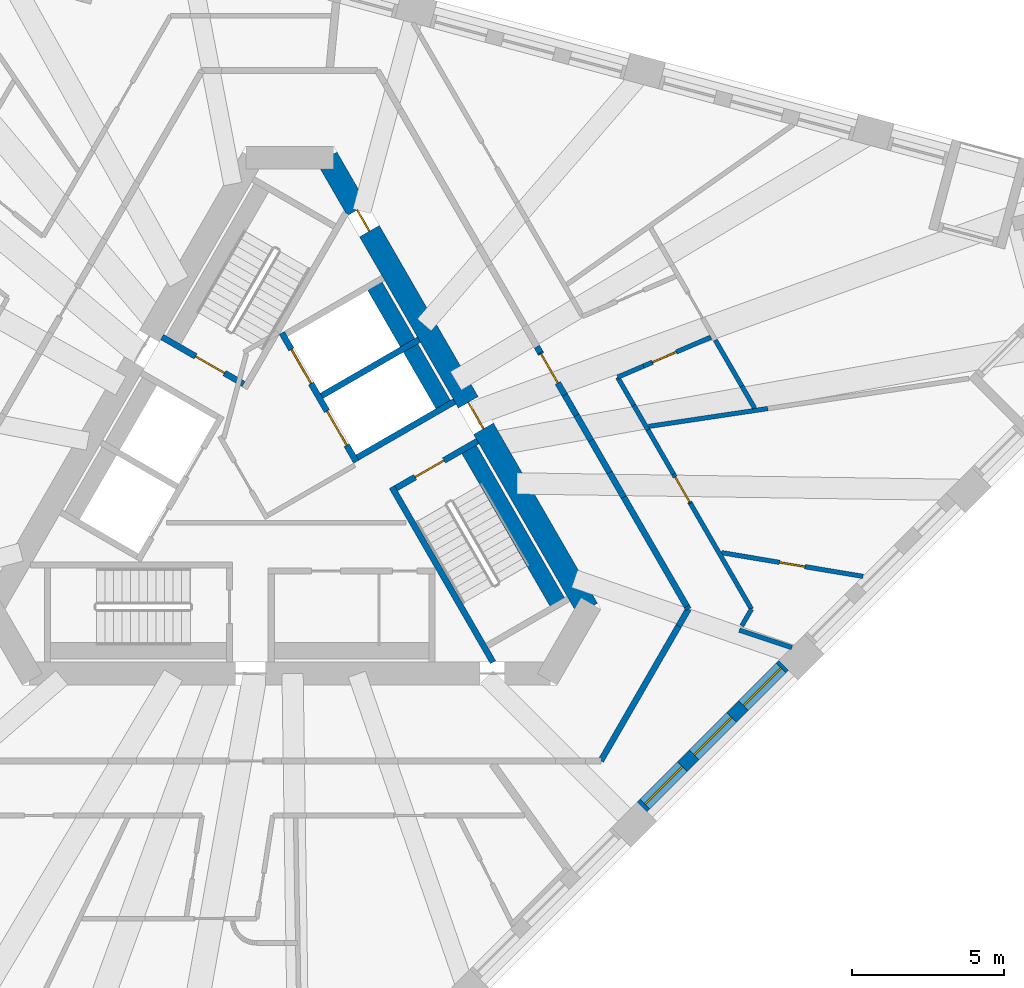
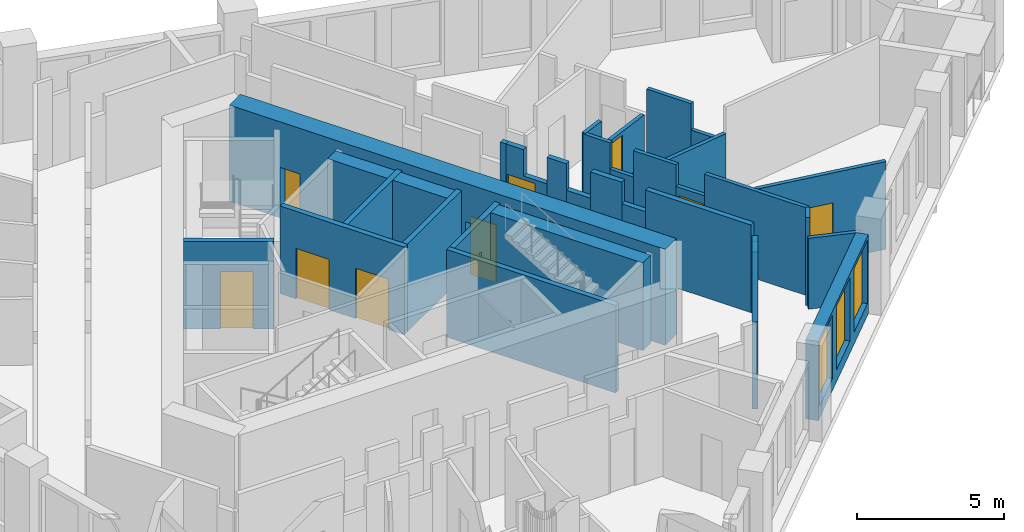
# One storey, part 5 of 13: 33 walls, 10 doors, 3 windows, 13 openings.
"""IFC4 building model written with IfcOpenShell, lengths in metres."""

from ifc_helpers import new_model, si_unit, direction, frame, frame_2d, origin, place, context, subcontext, project, spatial, polyline, rectangle, outline, extrude, material, layer, layer_set, type_object, element, fill, save


model = new_model("IFC4")

# Units and contexts
model_context = context("Model", 3, precision=1e-05, world=origin(), true_north=direction((0.0, 1.0)))
body_context = subcontext(model_context, "Body", "Model", "MODEL_VIEW")
ifc_project = project(units=[si_unit("LENGTHUNIT", "METRE"), si_unit("AREAUNIT", "SQUARE_METRE"), si_unit("VOLUMEUNIT", "CUBIC_METRE"), si_unit("PLANEANGLEUNIT", "RADIAN"), si_unit("MASSUNIT", "GRAM", prefix="KILO")], contexts=[model_context])

# Site, building, storey
site_placement = place(None, origin())
site = spatial("IfcSite", under=ifc_project, at=site_placement, CompositionType="ELEMENT")
building_placement = place(site_placement, origin())
building = spatial("IfcBuilding", under=site, at=building_placement, Name="Tramontana Tower", CompositionType="ELEMENT")
storey_placement = place(building_placement, frame((0.0, 0.0, 220.0)))
storey = spatial("IfcBuildingStorey", under=building, at=storey_placement, Name="L51", CompositionType="ELEMENT", Elevation=220.0)

# Wall, openings, doors
ifc_material_1 = material(Name="Concrete 70 MPa", Category="concrete")
ifc_layer_1 = layer(ifc_material_1, 0.75)
ifc_layer_set_1 = layer_set([ifc_layer_1], Name="Core wall 750 70 MPa")
wall_type_1 = type_object("IfcWallType", Name="Core wall 750 70 MPa", PredefinedType="SHEAR", material=ifc_layer_set_1)
wall_1_placement = place(storey_placement, frame((9.81494140625, -4.25, 0.0), z_axis=(0.0, 0.0, 1.0), x_axis=(-0.500002161919, 0.866024155596, 0.0)))
wall_1 = element("IfcWall", 1, at=wall_1_placement, inside=storey, type_object=wall_type_1, Name="Core wall C5 L51", PredefinedType="SHEAR", context=body_context, shape_type="SweptSolid", body=[
    extrude(rectangle(XDim=17.17626953125, YDim=0.75, at=frame_2d((8.588134765625, 0.0))), origin(), (0.0, 0.0, 1.0), 4.0),
])
opening_1_placement = place(wall_1_placement, frame((6.863037109375, 0.0, 0.0)))
opening_1 = element("IfcOpeningElement", 2, at=opening_1_placement, cuts=wall_1, Name="Opening RG3", PredefinedType="OPENING", context=body_context, shape_type="SweptSolid", body=[
    extrude(rectangle(XDim=1.0, YDim=2.39990234375, at=frame_2d((0.5, 1.199951171875))), frame((0.0, 0.385009765625, 0.0), z_axis=(0.0, -1.0, 0.0), x_axis=(1.0, 0.0, 0.0)), (0.0, 0.0, 1.0), 0.77001953125),
])
opening_2_placement = place(wall_1_placement, frame((14.382080078125, 0.0, 0.0)))
opening_2 = element("IfcOpeningElement", 3, at=opening_2_placement, cuts=wall_1, Name="Opening PD3", PredefinedType="OPENING", context=body_context, shape_type="SweptSolid", body=[
    extrude(rectangle(XDim=0.800048828125, YDim=2.10009765625, at=frame_2d((0.39990234375, 1.050048828125))), frame((0.0, 0.385009765625, 0.0), z_axis=(0.0, -1.0, 0.0), x_axis=(1.0, 0.0, 0.0)), (0.0, 0.0, 1.0), 0.77001953125),
])
ifc_material_2 = material(Name="Painted steel", Category="steel")
door_type_1 = type_object("IfcDoorType", Name="CUPBOARD DOOR 800", OperationType="SINGLE_SWING_LEFT", PredefinedType="DOOR", material=ifc_material_2)
door_1_placement = place(opening_2_placement, origin())
door_1 = element("IfcDoor", 4, at=door_1_placement, inside=storey, type_object=door_type_1, Name="Door PD3", OperationType="SINGLE_SWING_RIGHT", OverallHeight=2.10009765625, OverallWidth=0.800048828125, PredefinedType="DOOR", context=body_context, shape_type="SweptSolid", body=[
    extrude(rectangle(XDim=0.800048828125, YDim=2.10009765625, at=frame_2d((0.39990234375, 1.050048828125))), frame((0.0, 0.02490234375, 0.0), z_axis=(0.0, -1.0, 0.0), x_axis=(1.0, 0.0, 0.0)), (0.0, 0.0, 1.0), 0.050048828125),
])
fill(opening_2, door_1)
ifc_material_3 = material(Name="Painted steel", Category="steel")
door_type_2 = type_object("IfcDoorType", Name="RING DOOR 1000", OperationType="SINGLE_SWING_LEFT", PredefinedType="DOOR", material=ifc_material_3)
door_2_placement = place(opening_1_placement, origin())
door_2 = element("IfcDoor", 5, at=door_2_placement, inside=storey, type_object=door_type_2, Name="Door RG3", OperationType="SINGLE_SWING_RIGHT", OverallHeight=2.39990234375, OverallWidth=1.0, PredefinedType="DOOR", context=body_context, shape_type="SweptSolid", body=[
    extrude(rectangle(XDim=1.0, YDim=2.39990234375, at=frame_2d((0.5, 1.199951171875))), frame((0.0, 0.02490234375, 0.0), z_axis=(0.0, -1.0, 0.0), x_axis=(1.0, 0.0, 0.0)), (0.0, 0.0, 1.0), 0.050048828125),
])
fill(opening_1, door_2)

# Wall
ifc_material_4 = material(Name="Blockwork", Category="masonry")
ifc_layer_2 = layer(ifc_material_4, 0.199951171875)
ifc_layer_set_2 = layer_set([ifc_layer_2], Name="ENTRY WALL 200")
wall_type_2 = type_object("IfcWallType", Name="ENTRY WALL 200", PredefinedType="SOLIDWALL", material=ifc_layer_set_2)
wall_2_placement = place(storey_placement, frame((8.143310546875, 4.3955078125, 0.0), z_axis=(0.0, 0.0, 1.0), x_axis=(0.499230902886, -0.866468987099, 0.0)))
element("IfcWall", 6, at=wall_2_placement, inside=storey, type_object=wall_type_2, Name="Wall v51-ew0-6", PredefinedType="SOLIDWALL", context=body_context, shape_type="SweptSolid", body=[
    extrude(rectangle(XDim=0.229248046875, YDim=0.199951171875, at=frame_2d((0.11474609375, 0.0))), origin(), (0.0, 0.0, 1.0), 3.64990234375),
])

# Wall, opening, door
wall_3_placement = place(storey_placement, frame((8.2578125, 4.19677734375, 0.0), z_axis=(0.0, 0.0, 1.0), x_axis=(0.500138504756, -0.865945423257, 0.0)))
wall_3 = element("IfcWall", 7, at=wall_3_placement, inside=storey, type_object=wall_type_2, Name="Wall v51-ew0-7", PredefinedType="SOLIDWALL", context=body_context, shape_type="SweptSolid", body=[
    extrude(outline(polyline([(0.0, 0.0), (1.6083984375, 0.0), (1.608642578125, 2.550048828125), (0.6943359375, 2.550048828125), (0.6943359375, 3.64990234375), (0.0, 3.64990234375), (0.0, 0.0)])), frame((0.0, 0.10009765625, 0.0), z_axis=(0.0, -1.0, 0.0), x_axis=(1.0, 0.0, 0.0)), (0.0, 0.0, 1.0), 0.199951171875),
])
opening_3_placement = place(wall_3_placement, frame((0.050048828125, 0.0, 0.0)))
opening_3 = element("IfcOpeningElement", 8, at=opening_3_placement, cuts=wall_3, Name="Opening B5B-21", PredefinedType="OPENING", context=body_context, shape_type="SweptSolid", body=[
    extrude(rectangle(XDim=1.10009765625, YDim=2.39990234375, at=frame_2d((0.550048828125, 1.199951171875))), frame((0.0, 0.10986328125, 0.0), z_axis=(0.0, -1.0, 0.0), x_axis=(1.0, 0.0, 0.0)), (0.0, 0.0, 1.0), 0.219970703125),
])
ifc_material_5 = material(Name="Painted timber", Category="wood")
door_type_3 = type_object("IfcDoorType", Name="DOOR ENTRY 1100", OperationType="SINGLE_SWING_LEFT", PredefinedType="DOOR", material=ifc_material_5)
door_3_placement = place(opening_3_placement, origin())
door_3 = element("IfcDoor", 9, at=door_3_placement, inside=storey, type_object=door_type_3, Name="Door B5B-21", OperationType="SINGLE_SWING_LEFT", OverallHeight=2.39990234375, OverallWidth=1.10009765625, PredefinedType="DOOR", context=body_context, shape_type="SweptSolid", body=[
    extrude(rectangle(XDim=1.10009765625, YDim=2.39990234375, at=frame_2d((0.550048828125, 1.199951171875))), frame((0.0, 0.02490234375, 0.0), z_axis=(0.0, -1.0, 0.0), x_axis=(1.0, 0.0, 0.0)), (0.0, 0.0, 1.0), 0.050048828125),
])
fill(opening_3, door_3)

# Walls
wall_4_placement = place(storey_placement, frame((9.062255859375, 2.803955078125, 0.0), z_axis=(0.0, 0.0, 1.0), x_axis=(0.499997253739, -0.866026989333, 0.0)))
element("IfcWall", 10, at=wall_4_placement, inside=storey, type_object=wall_type_2, Name="Wall v51-ew0-8", PredefinedType="SOLIDWALL", context=body_context, shape_type="SweptSolid", body=[
    extrude(rectangle(XDim=0.76904296875, YDim=0.199951171875, at=frame_2d((0.384521484375, 0.0))), origin(), (0.0, 0.0, 1.0), 3.64990234375),
])
wall_5_placement = place(storey_placement, frame((9.44677734375, 2.137939453125, 0.0), z_axis=(0.0, 0.0, 1.0), x_axis=(0.499869636591, -0.866100656052, 0.0)))
element("IfcWall", 11, at=wall_5_placement, inside=storey, type_object=wall_type_2, Name="Wall v51-ew0-9", PredefinedType="SOLIDWALL", context=body_context, shape_type="SweptSolid", body=[
    extrude(rectangle(XDim=0.957275390625, YDim=0.199951171875, at=frame_2d((0.478515625, 0.0))), origin(), (0.0, 0.0, 1.0), 2.550048828125),
])
wall_6_placement = place(storey_placement, frame((9.92529296875, 1.308837890625, 0.0), z_axis=(0.0, 0.0, 1.0), x_axis=(0.500055461028, -0.865993380977, 0.0)))
element("IfcWall", 12, at=wall_6_placement, inside=storey, type_object=wall_type_2, Name="Wall v51-ew0-10", PredefinedType="SOLIDWALL", context=body_context, shape_type="SweptSolid", body=[
    extrude(rectangle(XDim=1.226806640625, YDim=0.199951171875, at=frame_2d((0.61328125, 0.0))), origin(), (0.0, 0.0, 1.0), 3.64990234375),
])
wall_7_placement = place(storey_placement, frame((10.538818359375, 0.246337890625, 0.0), z_axis=(0.0, 0.0, 1.0), x_axis=(0.499971966783, -0.866041588165, 0.0)))
element("IfcWall", 13, at=wall_7_placement, inside=storey, type_object=wall_type_2, Name="Wall v51-ew0-11", PredefinedType="SOLIDWALL", context=body_context, shape_type="SweptSolid", body=[
    extrude(rectangle(XDim=0.931640625, YDim=0.199951171875, at=frame_2d((0.4658203125, 0.0))), origin(), (0.0, 0.0, 1.0), 2.75),
])
wall_8_placement = place(storey_placement, frame((11.004638671875, -0.560546875, 0.0), z_axis=(0.0, 0.0, 1.0), x_axis=(0.499993700073, -0.866029041019, 0.0)))
element("IfcWall", 14, at=wall_8_placement, inside=storey, type_object=wall_type_2, Name="Wall v51-ew0-12", PredefinedType="SOLIDWALL", context=body_context, shape_type="SweptSolid", body=[
    extrude(rectangle(XDim=4.1552734375, YDim=0.199951171875, at=frame_2d((2.07763671875, 0.0))), origin(), (0.0, 0.0, 1.0), 3.64990234375),
])
wall_9_placement = place(storey_placement, frame((13.082275390625, -4.1591796875, 0.0), z_axis=(0.0, 0.0, 1.0), x_axis=(0.500393920955, -0.865797853931, 0.0)))
element("IfcWall", 15, at=wall_9_placement, inside=storey, type_object=wall_type_2, Name="Wall v51-ew0-13", PredefinedType="SOLIDWALL", context=body_context, shape_type="SweptSolid", body=[
    extrude(rectangle(XDim=0.10498046875, YDim=0.199951171875, at=frame_2d((0.052490234375, 0.0))), origin(), (0.0, 0.0, 1.0), 2.949951171875),
])
wall_10_placement = place(storey_placement, frame((13.134765625, -4.25, 0.0), z_axis=(0.0, 0.0, 1.0), x_axis=(-0.500018234033, -0.866014876105, 0.0)))
element("IfcWall", 16, at=wall_10_placement, inside=storey, type_object=wall_type_2, Name="Wall v51-ew1-0", PredefinedType="SOLIDWALL", context=body_context, shape_type="SweptSolid", body=[
    extrude(rectangle(XDim=0.64306640625, YDim=0.199951171875, at=frame_2d((0.321533203125, 0.0))), origin(), (0.0, 0.0, 1.0), 2.949951171875),
])
wall_11_placement = place(storey_placement, frame((12.813232421875, -4.806884765625, 0.0), z_axis=(0.0, 0.0, 1.0), x_axis=(-0.499992949462, -0.866029474376, 0.0)))
element("IfcWall", 17, at=wall_11_placement, inside=storey, type_object=wall_type_2, Name="Wall v51-ew1-1", PredefinedType="SOLIDWALL", context=body_context, shape_type="SweptSolid", body=[
    extrude(rectangle(XDim=5.13037109375, YDim=0.199951171875, at=frame_2d((2.565185546875, 0.0))), origin(), (0.0, 0.0, 1.0), 3.64990234375),
])

# Wall, openings, windows
ifc_material_6 = material(Name="Precast concrete 60 MPa", Category="concrete")
ifc_layer_3 = layer(ifc_material_6, 0.449951171875)
ifc_layer_set_3 = layer_set([ifc_layer_3], Name="Precast concrete 60 MPa, 450 mm")
wall_type_3 = type_object("IfcWallType", Name="EW1 Stone-faced precast wall 450", PredefinedType="SOLIDWALL", material=ifc_layer_set_3)
wall_12_placement = place(storey_placement, frame((11.6142578125, -10.765625, 0.0), z_axis=(0.0, 0.0, 1.0), x_axis=(0.707106781187, 0.707106781187, 0.0)))
wall_12 = element("IfcWall", 18, at=wall_12_placement, inside=storey, type_object=wall_type_3, Name="External wall L51 face 1 bay 4", PredefinedType="SOLIDWALL", context=body_context, shape_type="SweptSolid", body=[
    extrude(rectangle(XDim=6.59423828125, YDim=0.449951171875, at=frame_2d((3.297119140625, 0.0))), origin(), (0.0, 0.0, 1.0), 3.300048828125),
])
opening_4_placement = place(wall_12_placement, frame((0.1240234375, 0.0, 0.5)))
opening_4 = element("IfcOpeningElement", 19, at=opening_4_placement, cuts=wall_12, Name="Opening M2", PredefinedType="OPENING", context=body_context, shape_type="SweptSolid", body=[
    extrude(rectangle(XDim=1.75, YDim=2.64990234375, at=frame_2d((0.875, 1.324951171875))), frame((0.0, 0.23486328125, 0.0), z_axis=(0.0, -1.0, 0.0), x_axis=(1.0, 0.0, 0.0)), (0.0, 0.0, 1.0), 0.469970703125),
])
opening_5_placement = place(wall_12_placement, frame((2.422119140625, 0.0, 0.5)))
opening_5 = element("IfcOpeningElement", 20, at=opening_5_placement, cuts=wall_12, Name="Opening M2", PredefinedType="OPENING", context=body_context, shape_type="SweptSolid", body=[
    extrude(rectangle(XDim=1.75, YDim=2.64990234375, at=frame_2d((0.875, 1.324951171875))), frame((0.0, 0.23486328125, 0.0), z_axis=(0.0, -1.0, 0.0), x_axis=(1.0, 0.0, 0.0)), (0.0, 0.0, 1.0), 0.469970703125),
])
opening_6_placement = place(wall_12_placement, frame((4.72021484375, 0.0, 0.5)))
opening_6 = element("IfcOpeningElement", 21, at=opening_6_placement, cuts=wall_12, Name="Opening M2", PredefinedType="OPENING", context=body_context, shape_type="SweptSolid", body=[
    extrude(rectangle(XDim=1.75, YDim=2.64990234375, at=frame_2d((0.875, 1.324951171875))), frame((0.0, 0.23486328125, 0.0), z_axis=(0.0, -1.0, 0.0), x_axis=(1.0, 0.0, 0.0)), (0.0, 0.0, 1.0), 0.469970703125),
])
ifc_material_7 = material(Name="Aluminum frame, double glazing unit", Category="aluminium")
window_type = type_object("IfcWindowType", Name="M2 Window 1.75 x 2.65", PartitioningType="SINGLE_PANEL", PredefinedType="WINDOW", material=ifc_material_7)
window_1_placement = place(opening_4_placement, origin())
window_1 = element("IfcWindow", 22, at=window_1_placement, inside=storey, type_object=window_type, Name="Window M2 L51 face 1 module 10", OverallHeight=2.64990234375, OverallWidth=1.75, PartitioningType="SINGLE_PANEL", PredefinedType="WINDOW", context=body_context, shape_type="SweptSolid", body=[
    extrude(rectangle(XDim=1.75, YDim=2.64990234375, at=frame_2d((0.875, 1.324951171875))), frame((0.0, 0.030029296875, 0.0), z_axis=(0.0, -1.0, 0.0), x_axis=(1.0, 0.0, 0.0)), (0.0, 0.0, 1.0), 0.06005859375),
])
fill(opening_4, window_1)
window_2_placement = place(opening_5_placement, origin())
window_2 = element("IfcWindow", 23, at=window_2_placement, inside=storey, type_object=window_type, Name="Window M2 L51 face 1 module 11", OverallHeight=2.64990234375, OverallWidth=1.75, PartitioningType="SINGLE_PANEL", PredefinedType="WINDOW", context=body_context, shape_type="SweptSolid", body=[
    extrude(rectangle(XDim=1.75, YDim=2.64990234375, at=frame_2d((0.875, 1.324951171875))), frame((0.0, 0.030029296875, 0.0), z_axis=(0.0, -1.0, 0.0), x_axis=(1.0, 0.0, 0.0)), (0.0, 0.0, 1.0), 0.06005859375),
])
fill(opening_5, window_2)
window_3_placement = place(opening_6_placement, origin())
window_3 = element("IfcWindow", 24, at=window_3_placement, inside=storey, type_object=window_type, Name="Window M2 L51 face 1 module 12", OverallHeight=2.64990234375, OverallWidth=1.75, PartitioningType="SINGLE_PANEL", PredefinedType="WINDOW", context=body_context, shape_type="SweptSolid", body=[
    extrude(rectangle(XDim=1.75, YDim=2.64990234375, at=frame_2d((0.875, 1.324951171875))), frame((0.0, 0.030029296875, 0.0), z_axis=(0.0, -1.0, 0.0), x_axis=(1.0, 0.0, 0.0)), (0.0, 0.0, 1.0), 0.06005859375),
])
fill(opening_6, window_3)

# Walls
ifc_material_8 = material(Name="Gypsum board partition")
ifc_layer_4 = layer(ifc_material_8, 0.14990234375)
ifc_layer_set_4 = layer_set([ifc_layer_4], Name="PARTITION 150")
wall_type_4 = type_object("IfcWallType", Name="PARTITION 150", PredefinedType="PARTITIONING", material=ifc_layer_set_4)
wall_13_placement = place(storey_placement, frame((10.803955078125, 3.38720703125, 0.0), z_axis=(0.0, 0.0, 1.0), x_axis=(0.499874077423, -0.866098093013, 0.0)))
element("IfcWall", 25, at=wall_13_placement, inside=storey, type_object=wall_type_4, Name="Wall v51-pw61-0", PredefinedType="PARTITIONING", context=body_context, shape_type="SweptSolid", body=[
    extrude(rectangle(XDim=1.068603515625, YDim=0.14990234375, at=frame_2d((0.5341796875, 0.0))), origin(), (0.0, 0.0, 1.0), 3.64990234375),
])
wall_14_placement = place(storey_placement, frame((11.338134765625, 2.461669921875, 0.0), z_axis=(0.0, 0.0, 1.0), x_axis=(0.500032811619, -0.866006459158, 0.0)))
element("IfcWall", 26, at=wall_14_placement, inside=storey, type_object=wall_type_4, Name="Wall v51-pw61-1", PredefinedType="PARTITIONING", context=body_context, shape_type="SweptSolid", body=[
    extrude(rectangle(XDim=0.9306640625, YDim=0.14990234375, at=frame_2d((0.46533203125, 0.0))), origin(), (0.0, 0.0, 1.0), 2.550048828125),
])
wall_15_placement = place(storey_placement, frame((11.803466796875, 1.65576171875, 0.0), z_axis=(0.0, 0.0, 1.0), x_axis=(0.499974444137, -0.866040157966, 0.0)))
element("IfcWall", 27, at=wall_15_placement, inside=storey, type_object=wall_type_4, Name="Wall v51-pw61-2", PredefinedType="PARTITIONING", context=body_context, shape_type="SweptSolid", body=[
    extrude(rectangle(XDim=1.67724609375, YDim=0.14990234375, at=frame_2d((0.838623046875, 0.0))), origin(), (0.0, 0.0, 1.0), 3.64990234375),
])

# Wall, opening, door
wall_16_placement = place(storey_placement, frame((12.64208984375, 0.203125, 0.0), z_axis=(0.0, 0.0, 1.0), x_axis=(0.50009519111, -0.865970438196, 0.0)))
wall_16 = element("IfcWall", 28, at=wall_16_placement, inside=storey, type_object=wall_type_4, Name="Wall v51-pw61-3", PredefinedType="PARTITIONING", context=body_context, shape_type="SweptSolid", body=[
    extrude(rectangle(XDim=1.114990234375, YDim=0.14990234375, at=frame_2d((0.5576171875, 0.0))), origin(), (0.0, 0.0, 1.0), 2.75),
])
opening_7_placement = place(wall_16_placement, frame((0.114990234375, 0.0, 0.0)))
opening_7 = element("IfcOpeningElement", 29, at=opening_7_placement, cuts=wall_16, Name="Opening B5B-16", PredefinedType="OPENING", context=body_context, shape_type="SweptSolid", body=[
    extrude(rectangle(XDim=0.949951171875, YDim=2.39990234375, at=frame_2d((0.47509765625, 1.199951171875))), frame((0.0, 0.0849609375, 0.0), z_axis=(0.0, -1.0, 0.0), x_axis=(1.0, 0.0, 0.0)), (0.0, 0.0, 1.0), 0.169921875),
])
ifc_material_9 = material(Name="Painted timber", Category="wood")
door_type_4 = type_object("IfcDoorType", Name="DOOR ROOM 950", OperationType="SINGLE_SWING_LEFT", PredefinedType="DOOR", material=ifc_material_9)
door_4_placement = place(opening_7_placement, origin())
door_4 = element("IfcDoor", 30, at=door_4_placement, inside=storey, type_object=door_type_4, Name="Door B5B-16", OperationType="SINGLE_SWING_RIGHT", OverallHeight=2.39990234375, OverallWidth=0.949951171875, PredefinedType="DOOR", context=body_context, shape_type="SweptSolid", body=[
    extrude(rectangle(XDim=0.949951171875, YDim=2.39990234375, at=frame_2d((0.47509765625, 1.199951171875))), frame((0.0, 0.02490234375, 0.0), z_axis=(0.0, -1.0, 0.0), x_axis=(1.0, 0.0, 0.0)), (0.0, 0.0, 1.0), 0.050048828125),
])
fill(opening_7, door_4)

# Walls
wall_17_placement = place(storey_placement, frame((13.19970703125, -0.762451171875, 0.0), z_axis=(0.0, 0.0, 1.0), x_axis=(0.499979602577, -0.866037179922, 0.0)))
element("IfcWall", 31, at=wall_17_placement, inside=storey, type_object=wall_type_4, Name="Wall v51-pw61-4", PredefinedType="PARTITIONING", context=body_context, shape_type="SweptSolid", body=[
    extrude(rectangle(XDim=4.027099609375, YDim=0.14990234375, at=frame_2d((2.013671875, 0.0))), origin(), (0.0, 0.0, 1.0), 3.64990234375),
])
wall_18_placement = place(storey_placement, frame((14.021728515625, 4.613525390625, 0.0), z_axis=(0.0, 0.0, 1.0), x_axis=(0.500047902311, -0.865997745606, 0.0)))
element("IfcWall", 32, at=wall_18_placement, inside=storey, type_object=wall_type_4, Name="Wall v51-pw62-4", PredefinedType="PARTITIONING", context=body_context, shape_type="SweptSolid", body=[
    extrude(rectangle(XDim=1.753173828125, YDim=0.14990234375, at=frame_2d((0.87646484375, 0.0))), origin(), (0.0, 0.0, 1.0), 3.64990234375),
])
wall_19_placement = place(storey_placement, frame((14.8984375, 3.09521484375, 0.0), z_axis=(0.0, 0.0, 1.0), x_axis=(0.499991329354, -0.866030409726, 0.0)))
element("IfcWall", 33, at=wall_19_placement, inside=storey, type_object=wall_type_4, Name="Wall v51-pw62-5", PredefinedType="PARTITIONING", context=body_context, shape_type="SweptSolid", body=[
    extrude(rectangle(XDim=0.83837890625, YDim=0.14990234375, at=frame_2d((0.419189453125, 0.0))), origin(), (0.0, 0.0, 1.0), 2.550048828125),
])

# Wall, opening, door
wall_20_placement = place(storey_placement, frame((13.87841796875, 4.711669921875, 0.0), z_axis=(0.0, 0.0, 1.0), x_axis=(-0.918800490112, -0.394722255985, 0.0)))
wall_20 = element("IfcWall", 34, at=wall_20_placement, inside=storey, type_object=wall_type_4, Name="Wall v51-pw63-0", PredefinedType="PARTITIONING", context=body_context, shape_type="SweptSolid", body=[
    extrude(rectangle(XDim=2.42138671875, YDim=0.14990234375, at=frame_2d((1.210693359375, 0.0))), origin(), (0.0, 0.0, 1.0), 2.550048828125),
])
opening_8_placement = place(wall_20_placement, frame((1.247314453125, 0.0, 0.0)))
opening_8 = element("IfcOpeningElement", 35, at=opening_8_placement, cuts=wall_20, Name="Opening B5B-14", PredefinedType="OPENING", context=body_context, shape_type="SweptSolid", body=[
    extrude(rectangle(XDim=0.85009765625, YDim=2.39990234375, at=frame_2d((0.425048828125, 1.199951171875))), frame((0.0, 0.0849609375, 0.0), z_axis=(0.0, -1.0, 0.0), x_axis=(1.0, 0.0, 0.0)), (0.0, 0.0, 1.0), 0.169921875),
])
ifc_material_10 = material(Name="Painted timber", Category="wood")
door_type_5 = type_object("IfcDoorType", Name="DOOR BATH 850", OperationType="SINGLE_SWING_LEFT", PredefinedType="DOOR", material=ifc_material_10)
door_5_placement = place(opening_8_placement, origin())
door_5 = element("IfcDoor", 36, at=door_5_placement, inside=storey, type_object=door_type_5, Name="Door B5B-14", OperationType="SINGLE_SWING_RIGHT", OverallHeight=2.39990234375, OverallWidth=0.85009765625, PredefinedType="DOOR", context=body_context, shape_type="SweptSolid", body=[
    extrude(rectangle(XDim=0.85009765625, YDim=2.39990234375, at=frame_2d((0.425048828125, 1.199951171875))), frame((0.0, 0.02490234375, 0.0), z_axis=(0.0, -1.0, 0.0), x_axis=(1.0, 0.0, 0.0)), (0.0, 0.0, 1.0), 0.050048828125),
])
fill(opening_8, door_5)

# Wall
wall_21_placement = place(storey_placement, frame((11.653564453125, 3.755859375, 0.0), z_axis=(0.0, 0.0, 1.0), x_axis=(-0.918747867973, -0.394844722764, 0.0)))
element("IfcWall", 37, at=wall_21_placement, inside=storey, type_object=wall_type_4, Name="Wall v51-pw63-1", PredefinedType="PARTITIONING", context=body_context, shape_type="SweptSolid", body=[
    extrude(rectangle(XDim=0.923095703125, YDim=0.14990234375, at=frame_2d((0.46142578125, 0.0))), origin(), (0.0, 0.0, 1.0), 3.64990234375),
])

# Wall, opening, door
wall_22_placement = place(storey_placement, frame((18.88916015625, -3.172607421875, 0.0), z_axis=(0.0, 0.0, 1.0), x_axis=(-0.986181013246, 0.165671388939, 0.0)))
wall_22 = element("IfcWall", 38, at=wall_22_placement, inside=storey, type_object=wall_type_4, Name="Wall v51-pw64", PredefinedType="PARTITIONING", context=body_context, shape_type="SweptSolid", body=[
    extrude(rectangle(XDim=4.72900390625, YDim=0.14990234375, at=frame_2d((2.364501953125, 0.0))), origin(), (0.0, 0.0, 1.0), 3.64990234375),
])
opening_9_placement = place(wall_22_placement, frame((1.939453125, 0.0, 0.0)))
opening_9 = element("IfcOpeningElement", 39, at=opening_9_placement, cuts=wall_22, Name="Opening B5B-18", PredefinedType="OPENING", context=body_context, shape_type="SweptSolid", body=[
    extrude(rectangle(XDim=0.85009765625, YDim=2.39990234375, at=frame_2d((0.425048828125, 1.199951171875))), frame((0.0, 0.0849609375, 0.0), z_axis=(0.0, -1.0, 0.0), x_axis=(1.0, 0.0, 0.0)), (0.0, 0.0, 1.0), 0.169921875),
])
door_6_placement = place(opening_9_placement, origin())
door_6 = element("IfcDoor", 40, at=door_6_placement, inside=storey, type_object=door_type_5, Name="Door B5B-18", OperationType="SINGLE_SWING_RIGHT", OverallHeight=2.39990234375, OverallWidth=0.85009765625, PredefinedType="DOOR", context=body_context, shape_type="SweptSolid", body=[
    extrude(rectangle(XDim=0.85009765625, YDim=2.39990234375, at=frame_2d((0.425048828125, 1.199951171875))), frame((0.0, 0.02490234375, 0.0), z_axis=(0.0, -1.0, 0.0), x_axis=(1.0, 0.0, 0.0)), (0.0, 0.0, 1.0), 0.050048828125),
])
fill(opening_9, door_6)

# Walls
wall_23_placement = place(storey_placement, frame((14.815673828125, -4.943359375, 0.0), z_axis=(0.0, 0.0, 1.0), x_axis=(0.948575938463, -0.316549662722, 0.0)))
element("IfcWall", 41, at=wall_23_placement, inside=storey, type_object=wall_type_4, Name="Wall v51-pw65-0", PredefinedType="PARTITIONING", context=body_context, shape_type="SweptSolid", body=[
    extrude(rectangle(XDim=1.820068359375, YDim=0.14990234375, at=frame_2d((0.91015625, 0.0))), origin(), (0.0, 0.0, 1.0), 2.949951171875),
])
wall_24_placement = place(storey_placement, frame((15.213134765625, -4.25, 0.0), z_axis=(0.0, 0.0, 1.0), x_axis=(-0.499899851437, -0.866083216864, 0.0)))
element("IfcWall", 42, at=wall_24_placement, inside=storey, type_object=wall_type_4, Name="Wall v51-pw66-0", PredefinedType="PARTITIONING", context=body_context, shape_type="SweptSolid", body=[
    extrude(rectangle(XDim=0.635498046875, YDim=0.14990234375, at=frame_2d((0.31787109375, 0.0))), origin(), (0.0, 0.0, 1.0), 3.64990234375),
])
wall_25_placement = place(storey_placement, frame((15.75244140625, 2.3583984375, 0.0), z_axis=(0.0, 0.0, 1.0), x_axis=(-0.988978239482, -0.148060939588, 0.0)))
element("IfcWall", 43, at=wall_25_placement, inside=storey, type_object=wall_type_4, Name="Wall v51-pw67-1", PredefinedType="PARTITIONING", context=body_context, shape_type="SweptSolid", body=[
    extrude(rectangle(XDim=3.97216796875, YDim=0.14990234375, at=frame_2d((1.986083984375, 0.0))), origin(), (0.0, 0.0, 1.0), 2.550048828125),
])
ifc_material_11 = material(Name="Concrete 70 MPa", Category="concrete")
ifc_layer_5 = layer(ifc_material_11, 0.550048828125)
ifc_layer_set_5 = layer_set([ifc_layer_5], Name="Concrete 70 MPa, 550 mm")
wall_type_5 = type_object("IfcWallType", Name="RC SHAFT BACK WALL 550", PredefinedType="SOLIDWALL", material=ifc_layer_set_5)
wall_26_placement = place(storey_placement, frame((8.911376953125, -4.18505859375, 0.0), z_axis=(0.0, 0.0, 1.0), x_axis=(-0.500009909098, 0.866019682689, 0.0)))
element("IfcWall", 44, at=wall_26_placement, inside=storey, type_object=wall_type_5, Name="Wall st3-back", PredefinedType="SOLIDWALL", context=body_context, shape_type="SweptSolid", body=[
    extrude(rectangle(XDim=6.199951171875, YDim=0.550048828125, at=frame_2d((3.10009765625, 0.0))), origin(), (0.0, 0.0, 1.0), 3.64990234375),
])
wall_27_placement = place(storey_placement, frame((5.156494140625, 2.31884765625, 0.0), z_axis=(0.0, 0.0, 1.0), x_axis=(-0.500018594424, 0.866014668023, 0.0)))
element("IfcWall", 45, at=wall_27_placement, inside=storey, type_object=wall_type_5, Name="Wall row2-back", PredefinedType="SOLIDWALL", context=body_context, shape_type="SweptSolid", body=[
    extrude(rectangle(XDim=4.900146484375, YDim=0.550048828125, at=frame_2d((2.4501953125, 0.0))), origin(), (0.0, 0.0, 1.0), 3.64990234375),
])

# Wall, opening, door
ifc_material_12 = material(Name="Concrete 70 MPa", Category="concrete")
ifc_layer_6 = layer(ifc_material_12, 0.199951171875)
ifc_layer_set_6 = layer_set([ifc_layer_6], Name="Concrete 70 MPa, 200 mm")
wall_type_6 = type_object("IfcWallType", Name="RC STAIR AND SHAFT WALL 200", PredefinedType="SOLIDWALL", material=ifc_layer_set_6)
wall_28_placement = place(storey_placement, frame((-1.521484375, 3.164794921875, 0.0), z_axis=(0.0, 0.0, 1.0), x_axis=(-0.86600983753, 0.500026960575, 0.0)))
wall_28 = element("IfcWall", 46, at=wall_28_placement, inside=storey, type_object=wall_type_6, Name="Wall st1-near", PredefinedType="SOLIDWALL", context=body_context, shape_type="SweptSolid", body=[
    extrude(rectangle(XDim=3.099853515625, YDim=0.199951171875, at=frame_2d((1.5498046875, 0.0))), origin(), (0.0, 0.0, 1.0), 3.64990234375),
])
opening_10_placement = place(wall_28_placement, frame((0.72509765625, 0.0, 0.0)))
opening_10 = element("IfcOpeningElement", 47, at=opening_10_placement, cuts=wall_28, Name="Opening SD1", PredefinedType="OPENING", context=body_context, shape_type="SweptSolid", body=[
    extrude(rectangle(XDim=1.10009765625, YDim=2.39990234375, at=frame_2d((0.550048828125, 1.199951171875))), frame((0.0, 0.10986328125, 0.0), z_axis=(0.0, -1.0, 0.0), x_axis=(1.0, 0.0, 0.0)), (0.0, 0.0, 1.0), 0.219970703125),
])
ifc_material_13 = material(Name="Painted steel", Category="steel")
door_type_6 = type_object("IfcDoorType", Name="STAIR DOOR 1100", OperationType="SINGLE_SWING_LEFT", PredefinedType="DOOR", material=ifc_material_13)
door_7_placement = place(opening_10_placement, origin())
door_7 = element("IfcDoor", 48, at=door_7_placement, inside=storey, type_object=door_type_6, Name="Door SD1", OperationType="SINGLE_SWING_RIGHT", OverallHeight=2.39990234375, OverallWidth=1.10009765625, PredefinedType="DOOR", context=body_context, shape_type="SweptSolid", body=[
    extrude(rectangle(XDim=1.10009765625, YDim=2.39990234375, at=frame_2d((0.550048828125, 1.199951171875))), frame((0.0, 0.02490234375, 0.0), z_axis=(0.0, -1.0, 0.0), x_axis=(1.0, 0.0, 0.0)), (0.0, 0.0, 1.0), 0.050048828125),
])
fill(opening_10, door_7)

# Wall
wall_29_placement = place(storey_placement, frame((6.697265625, -6.0, 0.0), z_axis=(0.0, 0.0, 1.0), x_axis=(-0.499980354584, 0.866036745774, 0.0)))
element("IfcWall", 49, at=wall_29_placement, inside=storey, type_object=wall_type_6, Name="Wall st3-front", PredefinedType="SOLIDWALL", context=body_context, shape_type="SweptSolid", body=[
    extrude(rectangle(XDim=6.664794921875, YDim=0.199951171875, at=frame_2d((3.33251953125, 0.0))), origin(), (0.0, 0.0, 1.0), 3.64990234375),
])

# Wall, opening, door
wall_30_placement = place(storey_placement, frame((3.50146484375, -0.2646484375, 0.0), z_axis=(0.0, 0.0, 1.0), x_axis=(0.866043940782, 0.499967891604, 0.0)))
wall_30 = element("IfcWall", 50, at=wall_30_placement, inside=storey, type_object=wall_type_6, Name="Wall st3-near", PredefinedType="SOLIDWALL", context=body_context, shape_type="SweptSolid", body=[
    extrude(rectangle(XDim=3.099853515625, YDim=0.199951171875, at=frame_2d((1.5498046875, 0.0))), origin(), (0.0, 0.0, 1.0), 3.64990234375),
])
opening_11_placement = place(wall_30_placement, frame((0.72509765625, 0.0, 0.0)))
opening_11 = element("IfcOpeningElement", 51, at=opening_11_placement, cuts=wall_30, Name="Opening SD3", PredefinedType="OPENING", context=body_context, shape_type="SweptSolid", body=[
    extrude(rectangle(XDim=1.10009765625, YDim=2.39990234375, at=frame_2d((0.550048828125, 1.199951171875))), frame((0.0, 0.10986328125, 0.0), z_axis=(0.0, -1.0, 0.0), x_axis=(1.0, 0.0, 0.0)), (0.0, 0.0, 1.0), 0.219970703125),
])
door_8_placement = place(opening_11_placement, origin())
door_8 = element("IfcDoor", 52, at=door_8_placement, inside=storey, type_object=door_type_6, Name="Door SD3", OperationType="SINGLE_SWING_RIGHT", OverallHeight=2.39990234375, OverallWidth=1.10009765625, PredefinedType="DOOR", context=body_context, shape_type="SweptSolid", body=[
    extrude(rectangle(XDim=1.10009765625, YDim=2.39990234375, at=frame_2d((0.550048828125, 1.199951171875))), frame((0.0, 0.02490234375, 0.0), z_axis=(0.0, -1.0, 0.0), x_axis=(1.0, 0.0, 0.0)), (0.0, 0.0, 1.0), 0.050048828125),
])
fill(opening_11, door_8)

# Wall, openings, doors
wall_31_placement = place(storey_placement, frame((2.190185546875, 0.6064453125, 0.0), z_axis=(0.0, 0.0, 1.0), x_axis=(-0.500002801628, 0.866023786258, 0.0)))
wall_31 = element("IfcWall", 53, at=wall_31_placement, inside=storey, type_object=wall_type_6, Name="Wall row2-front", PredefinedType="SOLIDWALL", context=body_context, shape_type="SweptSolid", body=[
    extrude(rectangle(XDim=4.89990234375, YDim=0.199951171875, at=frame_2d((2.449951171875, 0.0))), origin(), (0.0, 0.0, 1.0), 3.64990234375),
])
opening_12_placement = place(wall_31_placement, frame((0.625, 0.0, 0.0)))
opening_12 = element("IfcOpeningElement", 54, at=opening_12_placement, cuts=wall_31, Name="Opening LD-F1", PredefinedType="OPENING", context=body_context, shape_type="SweptSolid", body=[
    extrude(rectangle(XDim=1.300048828125, YDim=2.10009765625, at=frame_2d((0.64990234375, 1.050048828125))), frame((0.0, 0.10986328125, 0.0), z_axis=(0.0, -1.0, 0.0), x_axis=(1.0, 0.0, 0.0)), (0.0, 0.0, 1.0), 0.219970703125),
])
opening_13_placement = place(wall_31_placement, frame((2.97509765625, 0.0, 0.0)))
opening_13 = element("IfcOpeningElement", 55, at=opening_13_placement, cuts=wall_31, Name="Opening LD-F2", PredefinedType="OPENING", context=body_context, shape_type="SweptSolid", body=[
    extrude(rectangle(XDim=1.300048828125, YDim=2.10009765625, at=frame_2d((0.64990234375, 1.050048828125))), frame((0.0, 0.10986328125, 0.0), z_axis=(0.0, -1.0, 0.0), x_axis=(1.0, 0.0, 0.0)), (0.0, 0.0, 1.0), 0.219970703125),
])
ifc_material_14 = material(Name="Brushed steel", Category="steel")
door_type_7 = type_object("IfcDoorType", Name="LANDING DOOR 1300", OperationType="SINGLE_SWING_LEFT", PredefinedType="DOOR", material=ifc_material_14)
door_9_placement = place(opening_12_placement, origin())
door_9 = element("IfcDoor", 56, at=door_9_placement, inside=storey, type_object=door_type_7, Name="Door LD-F1", OperationType="SLIDING_TO_LEFT", OverallHeight=2.10009765625, OverallWidth=1.300048828125, PredefinedType="DOOR", context=body_context, shape_type="SweptSolid", body=[
    extrude(rectangle(XDim=1.300048828125, YDim=2.10009765625, at=frame_2d((0.64990234375, 1.050048828125))), frame((0.0, 0.02490234375, 0.0), z_axis=(0.0, -1.0, 0.0), x_axis=(1.0, 0.0, 0.0)), (0.0, 0.0, 1.0), 0.050048828125),
])
fill(opening_12, door_9)
door_10_placement = place(opening_13_placement, origin())
door_10 = element("IfcDoor", 57, at=door_10_placement, inside=storey, type_object=door_type_7, Name="Door LD-F2", OperationType="SLIDING_TO_RIGHT", OverallHeight=2.10009765625, OverallWidth=1.300048828125, PredefinedType="DOOR", context=body_context, shape_type="SweptSolid", body=[
    extrude(rectangle(XDim=1.300048828125, YDim=2.10009765625, at=frame_2d((0.64990234375, 1.050048828125))), frame((0.0, 0.02490234375, 0.0), z_axis=(0.0, -1.0, 0.0), x_axis=(1.0, 0.0, 0.0)), (0.0, 0.0, 1.0), 0.050048828125),
])
fill(opening_13, door_10)

# Walls
for number, where, z_axis, x_axis, name in (
    (58, (2.226806640625, 0.742919921875, 0.0), (0.0, 0.0, 1.0), (0.86601746898, 0.500013743233, 0.0), "Wall row2-side0"),
    (59, (1.0517578125, 2.778076171875, 0.0), (0.0, 0.0, 1.0), (0.86601746898, 0.500013743233, 0.0), "Wall row2-side1"),
):
    element("IfcWall", number, at=place(storey_placement, frame(where, z_axis=z_axis, x_axis=x_axis)), inside=storey, type_object=wall_type_6, Name=name, PredefinedType="SOLIDWALL", context=body_context, shape_type="SweptSolid", body=[
        extrude(rectangle(XDim=3.7001953125, YDim=0.199951171875, at=frame_2d((1.85009765625, 0.0))), origin(), (0.0, 0.0, 1.0), 3.64990234375),
    ])

save(model, "model.ifc")
